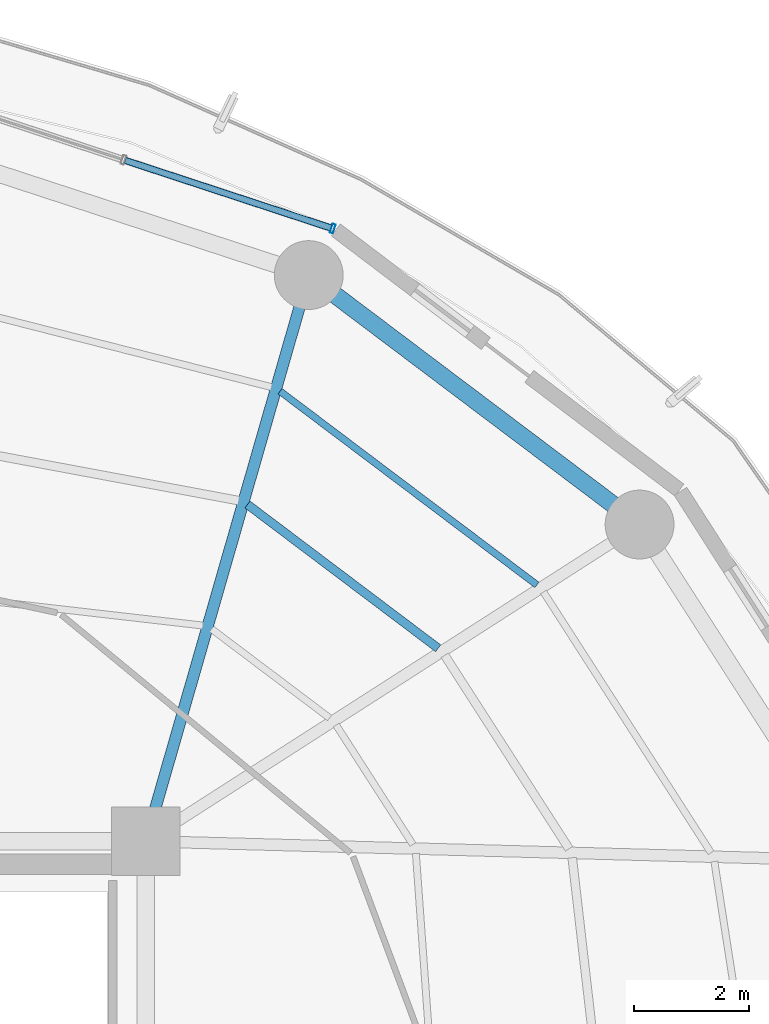
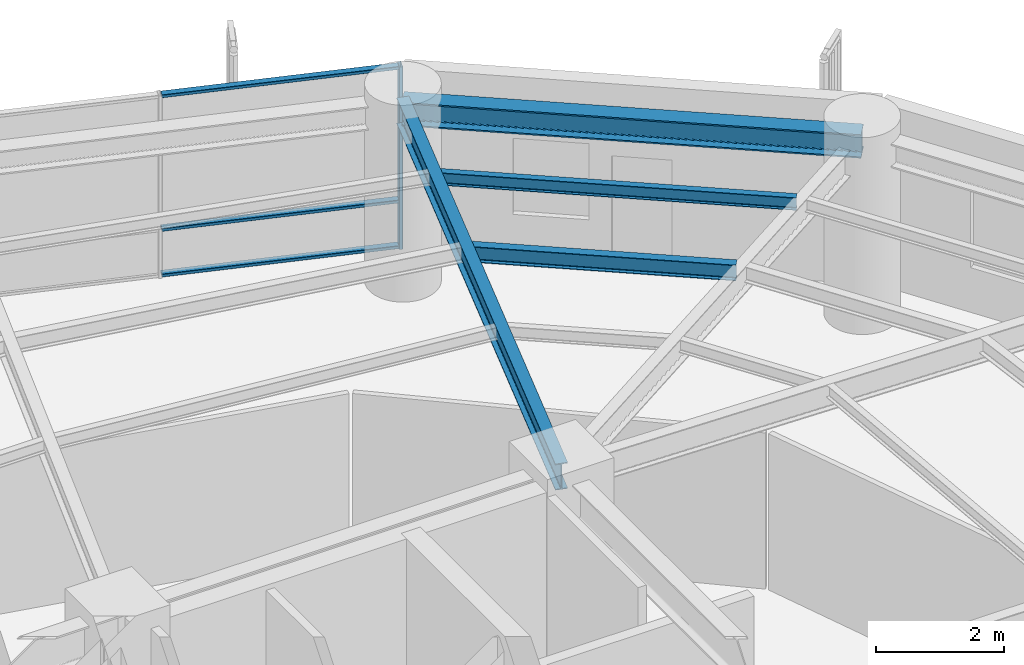
# One storey, part 19 of 27: 4 beams, 4 members, 1 element without a shape of its own.
"""IFC4 building model written with IfcOpenShell, lengths in metres."""

from ifc_helpers import new_model, si_unit, direction, frame, origin, origin_2d, place, context, subcontext, project, spatial, hollow_rectangle, i_section, extrude, material, layer, layer_set, material_profile, profile_set, type_object, element, aggregate, save


model = new_model("IFC4")

# Units and contexts
model_context = context("Model", 3, precision=1e-05, world=origin(), true_north=direction((0.0, 1.0)))
body_context = subcontext(model_context, "Body", "Model", "MODEL_VIEW")
ifc_project = project(units=[si_unit("LENGTHUNIT", "METRE"), si_unit("AREAUNIT", "SQUARE_METRE"), si_unit("VOLUMEUNIT", "CUBIC_METRE"), si_unit("PLANEANGLEUNIT", "RADIAN"), si_unit("MASSUNIT", "GRAM", prefix="KILO")], contexts=[model_context])

# Site, building, storey
site_placement = place(None, origin())
site = spatial("IfcSite", under=ifc_project, at=site_placement, CompositionType="ELEMENT")
building_placement = place(site_placement, origin())
building = spatial("IfcBuilding", under=site, at=building_placement, Name="Kelanora Arch Commons", CompositionType="ELEMENT")
storey_placement = place(building_placement, frame((0.0, 0.0, 165.60009765625)))
storey = spatial("IfcBuildingStorey", under=building, at=storey_placement, Name="L42", CompositionType="ELEMENT", Elevation=165.60009765625)

# Beams
ifc_material_1 = material(Name="Steel S355", Category="steel")
ifc_material_profile_1 = material_profile(ifc_material_1, i_section(OverallWidth=0.14990234375, OverallDepth=0.300048828125, WebThickness=0.007080078125, FlangeThickness=0.0107421875, FilletRadius=0.014892578125, at=origin_2d()), Name="IPE300")
ifc_profile_set_1 = profile_set([ifc_material_profile_1], Name="Steel S355")
beam_type_1 = type_object("IfcBeamType", Name="BM-JST-01", PredefinedType="JOIST", material=ifc_profile_set_1)
beam_1_placement = place(storey_placement, frame((87.0966796875, 68.364013671875, 3.33984375), z_axis=(-0.798463547891, 0.602043156833, 0.0), x_axis=(-0.602043156833, -0.798463547891, 0.0)))
element("IfcBeam", 1, at=beam_1_placement, inside=storey, type_object=beam_type_1, Name="Secondary Chord Joist BJB-04 L42", PredefinedType="JOIST", context=body_context, shape_type="SweptSolid", body=[
    extrude(i_section(OverallWidth=0.14990234375, OverallDepth=0.300048828125, WebThickness=0.007080078125, FlangeThickness=0.0107421875, FilletRadius=0.014892578125, at=origin_2d()), origin(), (0.0, 0.0, 1.0), 4.163818359375),
])
ifc_material_profile_2 = material_profile(ifc_material_1, i_section(OverallWidth=0.1201171875, OverallDepth=0.239990234375, WebThickness=0.006103515625, FlangeThickness=0.009765625, FilletRadius=0.014892578125, at=origin_2d()), Name="IPE240")
ifc_profile_set_2 = profile_set([ifc_material_profile_2], Name="Steel S355")
beam_type_2 = type_object("IfcBeamType", Name="BM-JST-02", PredefinedType="JOIST", material=ifc_profile_set_2)
beam_2_placement = place(storey_placement, frame((88.818359375, 69.468505859375, 3.369873046875), z_axis=(-0.798493128577, 0.602003923256, 0.0), x_axis=(-0.602003923256, -0.798493128577, 0.0)))
element("IfcBeam", 2, at=beam_2_placement, inside=storey, type_object=beam_type_2, Name="Secondary Chord Joist BJC-04 L42", PredefinedType="JOIST", context=body_context, shape_type="SweptSolid", body=[
    extrude(i_section(OverallWidth=0.1201171875, OverallDepth=0.239990234375, WebThickness=0.006103515625, FlangeThickness=0.009765625, FilletRadius=0.014892578125, at=origin_2d()), origin(), (0.0, 0.0, 1.0), 5.608642578125),
])
ifc_material_profile_3 = material_profile(ifc_material_1, i_section(OverallWidth=0.199951171875, OverallDepth=0.5, WebThickness=0.01025390625, FlangeThickness=0.01611328125, FilletRadius=0.02099609375, at=origin_2d()), Name="IPE500")
ifc_profile_set_3 = profile_set([ifc_material_profile_3], Name="Steel S355")
beam_type_3 = type_object("IfcBeamType", Name="BM-RAD-Z3", PredefinedType="BEAM", material=ifc_profile_set_3)
beam_3_placement = place(storey_placement, frame((82.0, 65.0, 3.239990234375), z_axis=(0.276525880065, 0.961006471182, 0.0), x_axis=(-0.961006471182, 0.276525880065, 0.0)))
element("IfcBeam", 3, at=beam_3_placement, inside=storey, type_object=beam_type_3, Name="Radial Floor Girder BR-06 L42", PredefinedType="BEAM", context=body_context, shape_type="SweptSolid", body=[
    extrude(i_section(OverallWidth=0.199951171875, OverallDepth=0.5, WebThickness=0.01025390625, FlangeThickness=0.01611328125, FilletRadius=0.02099609375, at=origin_2d()), origin(), (0.0, 0.0, 1.0), 10.2705078125),
])
ifc_material_profile_4 = material_profile(ifc_material_1, i_section(OverallWidth=0.300048828125, OverallDepth=0.449951171875, WebThickness=0.013916015625, FlangeThickness=0.02587890625, FilletRadius=0.027099609375, at=origin_2d()), Name="HEB450")
ifc_profile_set_4 = profile_set([ifc_material_profile_4], Name="Steel S355")
beam_type_4 = type_object("IfcBeamType", Name="BM-SPN-Z3", PredefinedType="SPANDREL", material=ifc_profile_set_4)
beam_4_placement = place(storey_placement, frame((90.60791015625, 70.521484375, 3.264892578125), z_axis=(-0.798484645564, 0.60201517489, 0.0), x_axis=(-0.60201517489, -0.798484645564, 0.0)))
element("IfcBeam", 4, at=beam_4_placement, inside=storey, type_object=beam_type_4, Name="Perimeter Spandrel Beam BS-04 L42", PredefinedType="SPANDREL", context=body_context, shape_type="SweptSolid", body=[
    extrude(i_section(OverallWidth=0.300048828125, OverallDepth=0.449951171875, WebThickness=0.013916015625, FlangeThickness=0.02587890625, FilletRadius=0.027099609375, at=origin_2d()), origin(), (0.0, 0.0, 1.0), 7.223388671875),
])

# Curtain wall, members
ifc_material_2 = material(Name="Terracotta ceramic-fritted low-E glass and aluminium", Category="masonry")
ifc_layer = layer(ifc_material_2, 0.175048828125)
ifc_layer_set = layer_set([ifc_layer], Name="Terracotta ceramic-fritted low-E glass and aluminium")
curtain_wall_type = type_object("IfcCurtainWallType", Name="CW-SYS-02", PredefinedType="NOTDEFINED", material=ifc_layer_set)
curtain_wall_placement = place(storey_placement, origin())
curtain_wall = element("IfcCurtainWall", 5, at=curtain_wall_placement, inside=storey, type_object=curtain_wall_type, Name="Unitised Curtain Wall L42-B03", PredefinedType="NOTDEFINED")
ifc_material_3 = material(Name="Powder-coated aluminium terracotta", Category="masonry")
ifc_material_profile_5 = material_profile(ifc_material_3, hollow_rectangle(XDim=0.159912109375, YDim=0.06005859375, WallThickness=0.0048828125, InnerFilletRadius=0.0048828125, OuterFilletRadius=0.010009765625, at=origin_2d()), Name="CWM160x60")
ifc_profile_set_5 = profile_set([ifc_material_profile_5], Name="Powder-coated aluminium terracotta")
member_type_1 = type_object("IfcMemberType", Name="CWM-STD", PredefinedType="MULLION", material=ifc_profile_set_5)
member_1_placement = place(storey_placement, frame((85.257080078125, 75.680908203125, 0.0), z_axis=(0.0, 0.0, 1.0), x_axis=(-0.312128279571, -0.95003996605, 0.0)))
member_1 = element("IfcMember", 6, at=member_1_placement, type_object=member_type_1, Name="CW-02 mullion 1", PredefinedType="MULLION", context=body_context, shape_type="SweptSolid", body=[
    extrude(hollow_rectangle(XDim=0.159912109375, YDim=0.06005859375, WallThickness=0.0048828125, InnerFilletRadius=0.0048828125, OuterFilletRadius=0.010009765625, at=origin_2d()), origin(), (0.0, 0.0, 1.0), 3.474853515625),
])
ifc_material_profile_6 = material_profile(ifc_material_3, hollow_rectangle(XDim=0.1201171875, YDim=0.06005859375, WallThickness=0.0048828125, InnerFilletRadius=0.0048828125, OuterFilletRadius=0.010009765625, at=origin_2d()), Name="CWT120x60")
ifc_profile_set_6 = profile_set([ifc_material_profile_6], Name="Powder-coated aluminium terracotta")
member_type_2 = type_object("IfcMemberType", Name="CWT-STD", PredefinedType="USERDEFINED", material=ifc_profile_set_6)
member_2_placement = place(storey_placement, frame((85.228759765625, 75.6904296875, 0.02978515625), z_axis=(-0.950051191155, 0.312094111104, 0.0), x_axis=(-0.312094111104, -0.950051191155, 0.0)))
member_2 = element("IfcMember", 7, at=member_2_placement, type_object=member_type_2, Name="CW-02 transom 1.1", ObjectType="TRANSOM", PredefinedType="USERDEFINED", context=body_context, shape_type="SweptSolid", body=[
    extrude(hollow_rectangle(XDim=0.1201171875, YDim=0.06005859375, WallThickness=0.0048828125, InnerFilletRadius=0.0048828125, OuterFilletRadius=0.010009765625, at=origin_2d()), origin(), (0.0, 0.0, 1.0), 3.77685546875),
])
member_3_placement = place(storey_placement, frame((85.228759765625, 75.6904296875, 0.89990234375), z_axis=(-0.950051191155, 0.312094111104, 0.0), x_axis=(-0.312094111104, -0.950051191155, 0.0)))
member_3 = element("IfcMember", 8, at=member_3_placement, type_object=member_type_2, Name="CW-02 transom 1.2", ObjectType="TRANSOM", PredefinedType="USERDEFINED", context=body_context, shape_type="SweptSolid", body=[
    extrude(hollow_rectangle(XDim=0.1201171875, YDim=0.06005859375, WallThickness=0.0048828125, InnerFilletRadius=0.0048828125, OuterFilletRadius=0.010009765625, at=origin_2d()), origin(), (0.0, 0.0, 1.0), 3.77685546875),
])
member_4_placement = place(storey_placement, frame((85.228759765625, 75.6904296875, 3.44482421875), z_axis=(-0.950051191155, 0.312094111104, 0.0), x_axis=(-0.312094111104, -0.950051191155, 0.0)))
member_4 = element("IfcMember", 9, at=member_4_placement, type_object=member_type_2, Name="CW-02 transom 1.3", ObjectType="TRANSOM", PredefinedType="USERDEFINED", context=body_context, shape_type="SweptSolid", body=[
    extrude(hollow_rectangle(XDim=0.1201171875, YDim=0.06005859375, WallThickness=0.0048828125, InnerFilletRadius=0.0048828125, OuterFilletRadius=0.010009765625, at=origin_2d()), origin(), (0.0, 0.0, 1.0), 3.77685546875),
])
aggregate(curtain_wall, [member_1, member_2, member_3, member_4])

save(model, "model.ifc")
